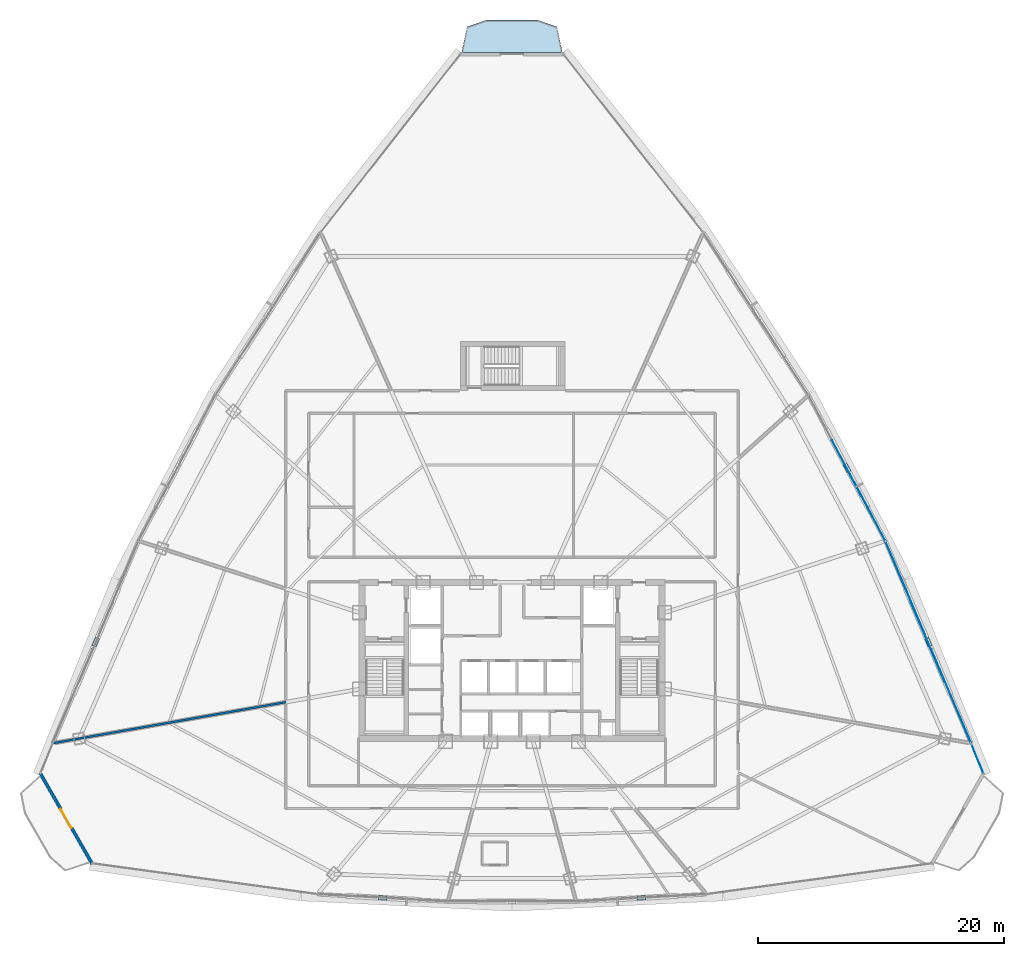
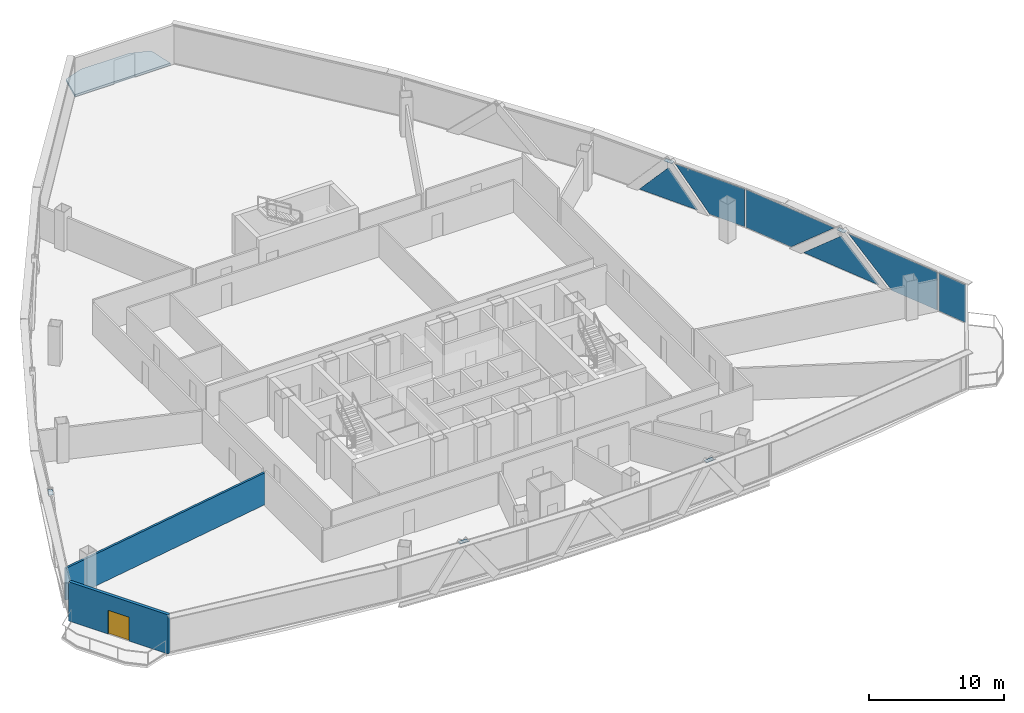
# One storey, part 29 of 37: 11 plates, 2 walls, 1 door, 1 slab, 1 opening, 3 elements without a shape of their own.
"""IFC4 building model written with IfcOpenShell, lengths in metres."""

from ifc_helpers import new_model, si_unit, direction, frame, frame_2d, origin, origin_with_axes, origin_2d, place, context, subcontext, project, spatial, polyline, rectangle, outline, extrude, source, transform, mapped, material, layer, layer_set, type_object, element, fill, aggregate, save


model = new_model("IFC4")

# Units and contexts
model_context = context("Model", 3, precision=1e-05, world=origin(), true_north=direction((0.0, 1.0)))
body_context = subcontext(model_context, "Body", "Model", "MODEL_VIEW")
ifc_project = project(units=[si_unit("LENGTHUNIT", "METRE"), si_unit("AREAUNIT", "SQUARE_METRE"), si_unit("VOLUMEUNIT", "CUBIC_METRE"), si_unit("PLANEANGLEUNIT", "RADIAN"), si_unit("MASSUNIT", "GRAM", prefix="KILO"), si_unit("THERMODYNAMICTEMPERATUREUNIT", "KELVIN"), si_unit("POWERUNIT", "WATT")], contexts=[model_context])

# Site, building, storey
site_placement = place(None, origin())
site = spatial("IfcSite", under=ifc_project, at=site_placement, CompositionType="ELEMENT")
building_placement = place(site_placement, origin())
building = spatial("IfcBuilding", under=site, at=building_placement, Name="Yunzhuo Pagoda Commons", CompositionType="ELEMENT")
storey_placement = place(building_placement, frame((0.0, 0.0, 196.159912109375)))
storey = spatial("IfcBuildingStorey", under=building, at=storey_placement, Name="L49", CompositionType="ELEMENT", Elevation=196.159912109375)

# Curtain wall, plates
ifc_material_1 = material(Name="Anodized aluminium 6063-T6", Category="aluminium")
ifc_layer_1 = layer(ifc_material_1, 0.14990234375)
ifc_layer_set_1 = layer_set([ifc_layer_1], Name="Anodized aluminium 6063-T6")
curtain_wall_type = type_object("IfcCurtainWallType", Name="CW-MID Mid-Zone Ribbon Curtain Wall", PredefinedType="NOTDEFINED", material=ifc_layer_set_1)
curtain_wall_1_placement = place(storey_placement, origin())
curtain_wall_1 = element("IfcCurtainWall", 1, at=curtain_wall_1_placement, inside=storey, type_object=curtain_wall_type, Name="L49 curtain wall CW-L49-F2B2", PredefinedType="NOTDEFINED")
ifc_material_2 = material(Name="Tempered low-e double glazing", Category="glass")
ifc_layer_2 = layer(ifc_material_2, 0.028076171875)
ifc_layer_set_2 = layer_set([ifc_layer_2], Name="Tempered low-e double glazing")
plate_type_1 = type_object("IfcPlateType", Name="CW-MID-P Low-E Double Glazing 28", PredefinedType="CURTAIN_PANEL", material=ifc_layer_set_2)
plate_1_placement = place(storey_placement, frame((83.711669921875, 30.9501953125, 1.77001953125), z_axis=(0.920666607247, 0.390349840912, 0.0), x_axis=(-0.390349840912, 0.920666607247, 0.0)))
plate_1 = element("IfcPlate", 2, at=plate_1_placement, type_object=plate_type_1, Name="CW panel 1.1 lite 1", PredefinedType="CURTAIN_PANEL", context=body_context, shape_type="SweptSolid", body=[
    extrude(outline(polyline([(-4.11279296875, -1.715087890625), (0.07958984375, -1.715087890625), (4.11279296875, 1.715087890625), (-4.11279296875, 1.715087890625), (-4.11279296875, -1.715087890625)])), origin(), (0.0, 0.0, 1.0), 0.028076171875),
])
plate_2_placement = place(storey_placement, frame((81.82421875, 35.32470703125, 1.548095703125), z_axis=(0.920666607247, 0.390349840912, 0.0), x_axis=(-0.390349840912, 0.920666607247, 0.0)))
plate_2 = element("IfcPlate", 3, at=plate_2_placement, type_object=plate_type_1, Name="CW panel 1.1 lite 2", PredefinedType="CURTAIN_PANEL", context=body_context, shape_type="SweptSolid", body=[
    extrude(outline(polyline([(-3.511474609375, -1.4931640625), (3.511474609375, -1.4931640625), (0.0, 1.4931640625), (-3.511474609375, -1.4931640625)])), origin(), (0.0, 0.0, 1.0), 0.028076171875),
])
plate_3_placement = place(storey_placement, frame((79.9921875, 39.722412109375, 1.77001953125), z_axis=(0.920666607247, 0.390349840912, 0.0), x_axis=(-0.390349840912, 0.920666607247, 0.0)))
plate_3 = element("IfcPlate", 4, at=plate_3_placement, type_object=plate_type_1, Name="CW panel 1.1 lite 3", PredefinedType="CURTAIN_PANEL", context=body_context, shape_type="SweptSolid", body=[
    extrude(outline(polyline([(-4.11279296875, 1.715087890625), (-0.079345703125, -1.715087890625), (4.11279296875, -1.715087890625), (4.11279296875, 1.715087890625), (-4.11279296875, 1.715087890625)])), origin(), (0.0, 0.0, 1.0), 0.028076171875),
])
aggregate(curtain_wall_1, [plate_1, plate_2, plate_3])

curtain_wall_2_placement = place(storey_placement, origin())
curtain_wall_2 = element("IfcCurtainWall", 5, at=curtain_wall_2_placement, inside=storey, type_object=curtain_wall_type, Name="L49 curtain wall CW-L49-F2B3", PredefinedType="NOTDEFINED")
plate_4_placement = place(storey_placement, frame((76.916259765625, 46.307373046875, 1.77001953125), z_axis=(0.884483826433, 0.466570852903, 0.0), x_axis=(-0.466570852903, 0.884483826433, 0.0)))
plate_4 = element("IfcPlate", 6, at=plate_4_placement, type_object=plate_type_1, Name="CW panel 1.1 lite 1", PredefinedType="CURTAIN_PANEL", context=body_context, shape_type="SweptSolid", body=[
    extrude(outline(polyline([(-3.04248046875, -1.715087890625), (0.0185546875, -1.715087890625), (3.04248046875, 1.715087890625), (-3.04248046875, 1.715087890625), (-3.04248046875, -1.715087890625)])), origin(), (0.0, 0.0, 1.0), 0.028076171875),
])
plate_5_placement = place(storey_placement, frame((75.211181640625, 49.47509765625, 1.51025390625), z_axis=(0.884483826433, 0.466570852903, 0.0), x_axis=(-0.466570852903, 0.884483826433, 0.0)))
plate_5 = element("IfcPlate", 7, at=plate_5_placement, type_object=plate_type_1, Name="CW panel 1.1 lite 2", PredefinedType="CURTAIN_PANEL", context=body_context, shape_type="SweptSolid", body=[
    extrude(outline(polyline([(-2.565673828125, -1.455078125), (2.565673828125, -1.455078125), (0.0, 1.455078125), (-2.565673828125, -1.455078125)])), origin(), (0.0, 0.0, 1.0), 0.028076171875),
])
aggregate(curtain_wall_2, [plate_4, plate_5])

# Slab
ifc_material_3 = material(Name="Concrete C40", Category="concrete")
ifc_layer_3 = layer(ifc_material_3, 0.199951171875)
ifc_layer_set_3 = layer_set([ifc_layer_3], Name="Concrete C40")
slab_type = type_object("IfcSlabType", Name="SL-BAL Vertex Balcony Deck Slab 200", PredefinedType="FLOOR", material=ifc_layer_set_3)
slab_placement = place(storey_placement, frame((0.0, 0.0, -0.199951171875)))
element("IfcSlab", 8, at=slab_placement, inside=storey, type_object=slab_type, Name="L49 corner balcony V3", PredefinedType="FLOOR", context=body_context, shape_type="SweptSolid", body=[
    extrude(outline(polyline([(52.10009765625, 83.302490234375), (43.89990234375, 83.302490234375), (44.349853515625, 85.3974609375), (45.949951171875, 85.947509765625), (50.050048828125, 85.947509765625), (51.650146484375, 85.3974609375), (52.10009765625, 83.302490234375)])), origin(), (0.0, 0.0, 1.0), 0.199951171875),
])

# Plates
ifc_material_4 = material(Name="Structural steel Q355B", Category="steel")
ifc_layer_4 = layer(ifc_material_4, 0.028076171875)
ifc_layer_set_4 = layer_set([ifc_layer_4], Name="Structural steel Q355B")
plate_type_2 = type_object("IfcPlateType", Name="SP-ND1 Lattice Node Cap Plate 800x500x28", PredefinedType="USERDEFINED", material=ifc_layer_set_4)
shared_shape_1 = source(origin(), body_context, "Body", "SweptSolid", [
    extrude(rectangle(XDim=0.699951171875, YDim=0.35009765625, at=origin_2d()), origin(), (0.0, 0.0, 1.0), 0.035888671875),
])
for number, where, z_axis, x_axis, name in (
    (9, (37.474609375, 14.53125, 3.501953125), (0.0, 0.0, 1.0), (0.998431983443, -0.055978339012, 0.0), "L49 setback lattice tie plate F1.1L"),
    (10, (58.525390625, 14.53125, 3.501953125), (0.0, 0.0, 1.0), (0.998431983443, 0.055978339012, 0.0), "L49 setback lattice tie plate F1.3L"),
    (11, (81.86474609375, 35.341796875, 3.501953125), (0.0, 0.0, 1.0), (-0.39034551405, 0.920668441764, 0.0), "L49 setback lattice tie plate F2.1L"),
    (12, (75.250244140625, 49.49560546875, 3.501953125), (0.0, 0.0, 1.0), (-0.466571896316, 0.884483276025, 0.0), "L49 setback lattice tie plate F2.2L"),
    (13, (14.13525390625, 35.341796875, 3.501953125), (0.0, 0.0, 1.0), (-0.39034551405, -0.920668441764, 0.0), "L49 setback lattice tie plate F3.3L"),
):
    element("IfcPlate", number, at=place(storey_placement, frame(where, z_axis=z_axis, x_axis=x_axis)), inside=storey, type_object=plate_type_2, Name=name, ObjectType="STIFFENER_PLATE", PredefinedType="USERDEFINED", context=body_context, shape_type="MappedRepresentation", body=[
        mapped(shared_shape_1, transform((0.0, 0.0, 0.0), scale=1.0)),
    ])

# Curtain wall, plate
curtain_wall_3_placement = place(storey_placement, origin())
curtain_wall_3 = element("IfcCurtainWall", 14, at=curtain_wall_3_placement, inside=storey, type_object=curtain_wall_type, Name="L49 curtain wall CW-L49-F2B1", PredefinedType="NOTDEFINED")
shared_shape_2 = source(origin(), body_context, "Body", "SweptSolid", [
    extrude(rectangle(XDim=2.477783203125, YDim=0.028076171875, at=origin_2d()), origin(), (0.0, 0.0, 1.0), 3.429931640625),
])
plate_6_placement = place(storey_placement, frame((85.871826171875, 25.84130859375, 0.05517578125), z_axis=(0.0, 0.0, 1.0), x_axis=(-0.377349463967, 0.926070937911, 0.0)))
plate_6 = element("IfcPlate", 15, at=plate_6_placement, type_object=plate_type_1, Name="CW panel 1.1", PredefinedType="CURTAIN_PANEL", context=body_context, shape_type="MappedRepresentation", body=[
    mapped(shared_shape_2, transform((0.0, 0.0, 0.0), scale=1.0)),
])
aggregate(curtain_wall_3, [plate_6])

# Wall, opening, door
ifc_material_5 = material(Name="Precast concrete C40", Category="concrete")
ifc_layer_5 = layer(ifc_material_5, 0.260009765625)
ifc_layer_set_5 = layer_set([ifc_layer_5], Name="Precast concrete C40")
wall_type_1 = type_object("IfcWallType", Name="W-BAL1 Corner Balcony Threshold Wall 260", PredefinedType="STANDARD", material=ifc_layer_set_5)
wall_1_placement = place(storey_placement, frame((9.610595703125, 24.68603515625, 0.0), z_axis=(0.0, 0.0, 1.0), x_axis=(0.497930869929, -0.867216725376, 0.0)))
wall_1 = element("IfcWall", 16, at=wall_1_placement, inside=storey, type_object=wall_type_1, Name="L49 corner balcony wall V1", PredefinedType="STANDARD", context=body_context, shape_type="SweptSolid", body=[
    extrude(rectangle(XDim=8.534423828125, YDim=0.260009765625, at=frame_2d((4.26708984375, 0.0))), origin(), (0.0, 0.0, 1.0), 3.5400390625),
])
opening_placement = place(wall_1_placement, frame((3.3671875, 0.0, 0.0)))
opening = element("IfcOpeningElement", 17, at=opening_placement, cuts=wall_1, Name="Opening D-BAL1", PredefinedType="OPENING", context=body_context, shape_type="SweptSolid", body=[
    extrude(rectangle(XDim=1.800048828125, YDim=2.14990234375, at=frame_2d((0.89990234375, 1.074951171875))), frame((0.0, 0.14013671875, 0.0), z_axis=(0.0, -1.0, 0.0), x_axis=(1.0, 0.0, 0.0)), (0.0, 0.0, 1.0), 0.280029296875),
])
ifc_material_6 = material(Name="Anodized aluminium frame and tempered glazed leaf", Category="aluminium")
door_type = type_object("IfcDoorType", Name="D-BAL1 Corner Balcony Sliding Glazed Door 1800x2150", OperationType="DOUBLE_DOOR_SLIDING", PredefinedType="DOOR", material=ifc_material_6)
shared_shape_3 = source(origin(), body_context, "Body", "SweptSolid", [
    extrude(rectangle(XDim=1.800048828125, YDim=2.14990234375, at=frame_2d((0.89990234375, 1.074951171875))), frame((0.0, 0.02490234375, 0.0), z_axis=(0.0, -1.0, 0.0), x_axis=(1.0, 0.0, 0.0)), (0.0, 0.0, 1.0), 0.050048828125),
])
door_placement = place(opening_placement, origin_with_axes())
door = element("IfcDoor", 18, at=door_placement, inside=storey, type_object=door_type, Name="L49 corner balcony sliding door V1", OperationType="DOUBLE_DOOR_SLIDING", OverallHeight=2.14990234375, OverallWidth=1.800048828125, PredefinedType="DOOR", context=body_context, shape_type="MappedRepresentation", body=[
    mapped(shared_shape_3, transform((0.0, 0.0, 0.0), scale=1.0)),
])
fill(opening, door)

# Wall
ifc_material_7 = material(Name="Gypsum plasterboard on acoustic stud")
ifc_layer_6 = layer(ifc_material_7, 0.175048828125)
ifc_layer_set_6 = layer_set([ifc_layer_6], Name="Gypsum plasterboard on acoustic stud")
wall_type_2 = type_object("IfcWallType", Name="W-PRT3 Mid-Zone Demising Wall 175", PredefinedType="PARTITIONING", material=ifc_layer_set_6)
wall_2_placement = place(storey_placement, frame((29.60009765625, 30.45556640625, 0.0), z_axis=(0.0, 0.0, 1.0), x_axis=(-0.984807685374, -0.173648561263, 0.0)))
element("IfcWall", 19, at=wall_2_placement, inside=storey, type_object=wall_type_2, Name="L49 interior wall IW-L49-RAD05", PredefinedType="PARTITIONING", context=body_context, shape_type="SweptSolid", body=[
    extrude(rectangle(XDim=19.24609375, YDim=0.175048828125, at=frame_2d((9.623046875, 0.0))), origin(), (0.0, 0.0, 1.0), 2.89013671875),
])

save(model, "model.ifc")
